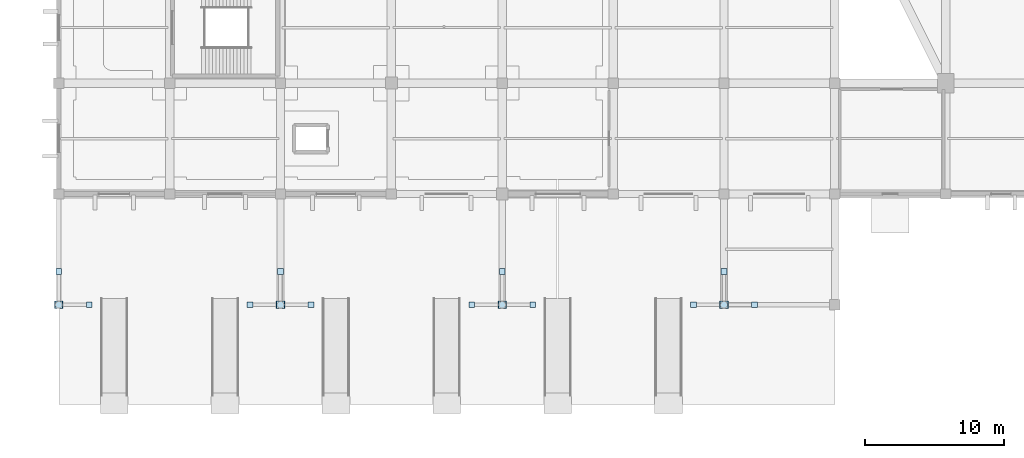
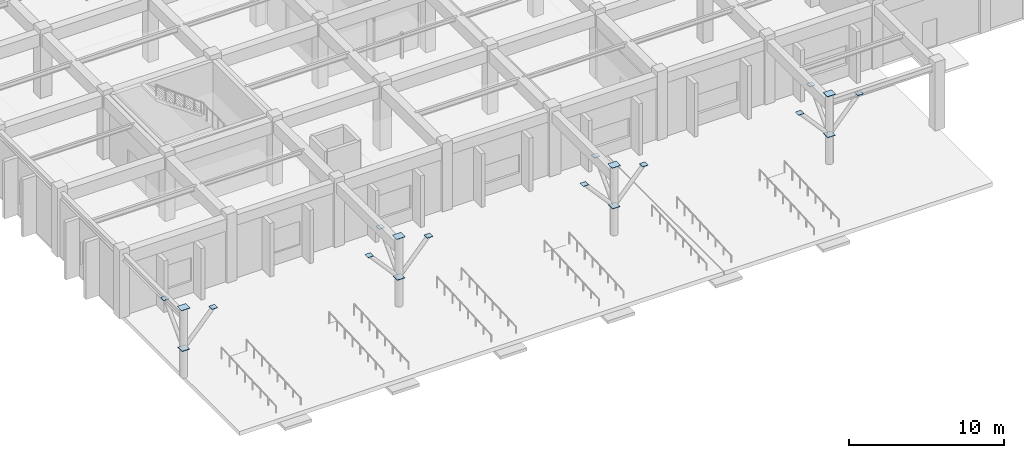
# One storey, part 17 of 39: 19 plates.
"""IFC4 building model written with IfcOpenShell, lengths in metres."""

from ifc_helpers import new_model, si_unit, direction, frame, origin, origin_2d, place, context, subcontext, project, spatial, rectangle, extrude, material, layer, layer_set, type_object, element, save


model = new_model("IFC4")

# Units and contexts
model_context = context("Model", 3, precision=1e-05, world=origin(), true_north=direction((0.0, 1.0)))
body_context = subcontext(model_context, "Body", "Model", "MODEL_VIEW")
ifc_project = project(units=[si_unit("LENGTHUNIT", "METRE"), si_unit("AREAUNIT", "SQUARE_METRE"), si_unit("VOLUMEUNIT", "CUBIC_METRE"), si_unit("PLANEANGLEUNIT", "RADIAN"), si_unit("MASSUNIT", "GRAM", prefix="KILO")], contexts=[model_context])

# Site, building, storey
site_placement = place(None, origin())
site = spatial("IfcSite", under=ifc_project, at=site_placement, CompositionType="ELEMENT")
building_placement = place(site_placement, origin())
building = spatial("IfcBuilding", under=site, at=building_placement, Name="Tazarka Park Arena", CompositionType="ELEMENT")
storey_placement = place(building_placement, origin())
storey = spatial("IfcBuildingStorey", under=building, at=storey_placement, Name="L00", CompositionType="ELEMENT", Elevation=0.0)

# Plates
ifc_material_1 = material(Name="Steel S460", Category="steel")
ifc_layer_1 = layer(ifc_material_1, 0.030029296875, Name="Steel S460")
ifc_layer_set_1 = layer_set([ifc_layer_1], Name="Steel S460")
plate_type_1 = type_object("IfcPlateType", Name="PLT-PL-01", PredefinedType="SHEET", material=ifc_layer_set_1)
for number, where, z_axis, x_axis, name in (
    (1, (0.0, 0.0, 5.39990234375), (0.0, 0.0, 1.0), (1.0, 0.0, 0.0), "CPL-L00-00-00"),
    (2, (16.0, 0.0, 5.39990234375), (0.0, 0.0, 1.0), (1.0, 0.0, 0.0), "CPL-L00-02-00"),
    (3, (32.0, 0.0, 5.39990234375), (0.0, 0.0, 1.0), (1.0, 0.0, 0.0), "CPL-L00-04-00"),
    (4, (48.0, 0.0, 5.39990234375), (0.0, 0.0, 1.0), (1.0, 0.0, 0.0), "CPL-L00-06-00"),
):
    element("IfcPlate", number, at=place(storey_placement, frame(where, z_axis=z_axis, x_axis=x_axis)), inside=storey, type_object=plate_type_1, Name=name, PredefinedType="SHEET", context=body_context, shape_type="SweptSolid", body=[
        extrude(rectangle(XDim=0.6201171875, YDim=0.56005859375, at=origin_2d()), origin(), (0.0, 0.0, 1.0), 0.030029296875),
    ])
ifc_material_2 = material(Name="Steel S460", Category="steel")
ifc_layer_2 = layer(ifc_material_2, 0.028076171875, Name="Steel S460")
ifc_layer_set_2 = layer_set([ifc_layer_2], Name="Steel S460")
plate_type_2 = type_object("IfcPlateType", Name="PLT-PL-09", PredefinedType="USERDEFINED", material=ifc_layer_set_2)
for number, where, z_axis, x_axis, name in (
    (5, (2.199951171875, 0.0, 4.65576171875), (0.0, 0.0, 1.0), (1.0, 0.0, 0.0), "YBP-00-2"),
    (6, (0.0, 2.39990234375, 4.65576171875), (0.0, 0.0, 1.0), (1.0, 0.0, 0.0), "YBP-00-3"),
    (7, (13.800048828125, 0.0, 4.65576171875), (0.0, 0.0, 1.0), (1.0, 0.0, 0.0), "YBP-02-1"),
    (8, (18.199951171875, 0.0, 4.65576171875), (0.0, 0.0, 1.0), (1.0, 0.0, 0.0), "YBP-02-2"),
    (9, (16.0, 2.39990234375, 4.65576171875), (0.0, 0.0, 1.0), (1.0, 0.0, 0.0), "YBP-02-3"),
    (10, (29.800048828125, 0.0, 4.65576171875), (0.0, 0.0, 1.0), (1.0, 0.0, 0.0), "YBP-04-1"),
    (11, (34.199951171875, 0.0, 4.65576171875), (0.0, 0.0, 1.0), (1.0, 0.0, 0.0), "YBP-04-2"),
    (12, (32.0, 2.39990234375, 4.65576171875), (0.0, 0.0, 1.0), (1.0, 0.0, 0.0), "YBP-04-3"),
    (13, (45.800048828125, 0.0, 4.65576171875), (0.0, 0.0, 1.0), (1.0, 0.0, 0.0), "YBP-06-1"),
    (14, (50.199951171875, 0.0, 4.65576171875), (0.0, 0.0, 1.0), (1.0, 0.0, 0.0), "YBP-06-2"),
    (15, (48.0, 2.39990234375, 4.65576171875), (0.0, 0.0, 1.0), (1.0, 0.0, 0.0), "YBP-06-3"),
):
    element("IfcPlate", number, at=place(storey_placement, frame(where, z_axis=z_axis, x_axis=x_axis)), inside=storey, type_object=plate_type_2, Name=name, ObjectType="STIFFENER", PredefinedType="USERDEFINED", context=body_context, shape_type="SweptSolid", body=[
        extrude(rectangle(XDim=0.419921875, YDim=0.419921875, at=origin_2d()), origin(), (0.0, 0.0, 1.0), 0.028076171875),
    ])
ifc_material_3 = material(Name="Steel S460", Category="steel")
ifc_layer_3 = layer(ifc_material_3, 0.031982421875, Name="Steel S460")
ifc_layer_set_3 = layer_set([ifc_layer_3], Name="Steel S460")
plate_type_3 = type_object("IfcPlateType", Name="PLT-PL-10", PredefinedType="USERDEFINED", material=ifc_layer_set_3)
for number, where, z_axis, x_axis, name in (
    (16, (0.0, 0.0, 2.18408203125), (0.0, 0.0, 1.0), (1.0, 0.0, 0.0), "YBP-00-0"),
    (17, (16.0, 0.0, 2.18408203125), (0.0, 0.0, 1.0), (1.0, 0.0, 0.0), "YBP-02-0"),
    (18, (32.0, 0.0, 2.18408203125), (0.0, 0.0, 1.0), (1.0, 0.0, 0.0), "YBP-04-0"),
    (19, (48.0, 0.0, 2.18408203125), (0.0, 0.0, 1.0), (1.0, 0.0, 0.0), "YBP-06-0"),
):
    element("IfcPlate", number, at=place(storey_placement, frame(where, z_axis=z_axis, x_axis=x_axis)), inside=storey, type_object=plate_type_3, Name=name, ObjectType="STIFFENER", PredefinedType="USERDEFINED", context=body_context, shape_type="SweptSolid", body=[
        extrude(rectangle(XDim=0.56005859375, YDim=0.56005859375, at=origin_2d()), origin(), (0.0, 0.0, 1.0), 0.031982421875),
    ])

save(model, "model.ifc")
